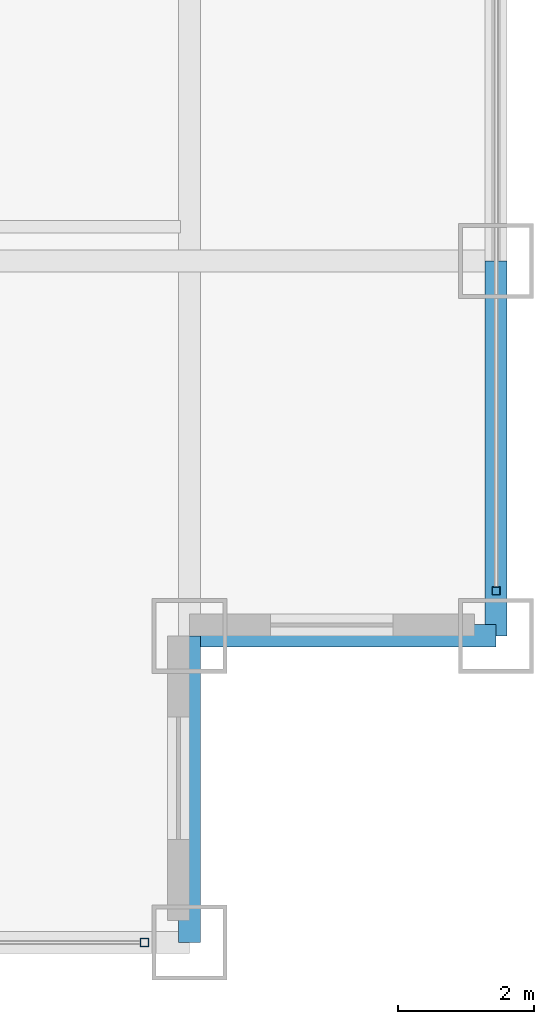
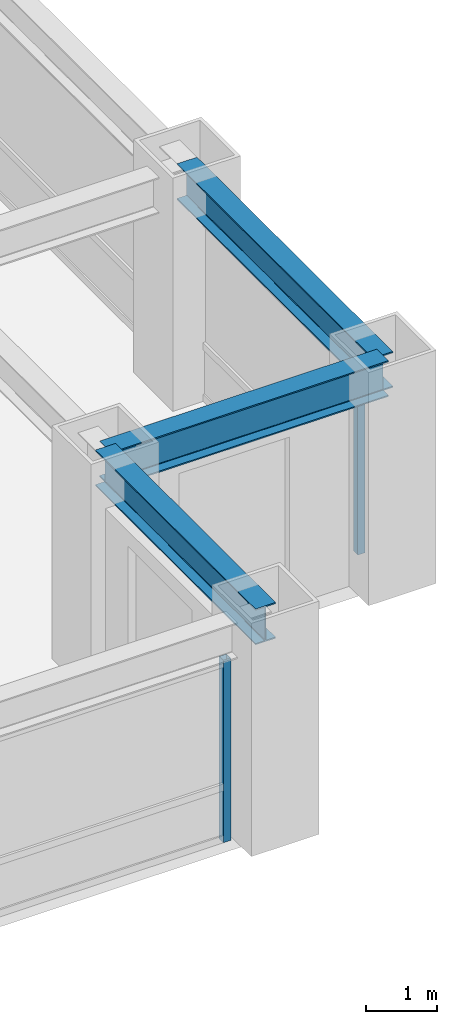
# One storey, part 8 of 24: 3 beams, 2 members, 2 elements without a shape of their own.
"""IFC4 building model written with IfcOpenShell, lengths in metres."""

from ifc_helpers import new_model, si_unit, direction, frame, origin, origin_2d, place, context, subcontext, project, spatial, hollow_rectangle, i_section, extrude, source, transform, mapped, material, material_profile, profile_set, type_object, element, aggregate, save


model = new_model("IFC4")

# Units and contexts
model_context = context("Model", 3, precision=1e-05, world=origin(), true_north=direction((0.0, 1.0)))
body_context = subcontext(model_context, "Body", "Model", "MODEL_VIEW")
ifc_project = project(units=[si_unit("LENGTHUNIT", "METRE"), si_unit("AREAUNIT", "SQUARE_METRE"), si_unit("VOLUMEUNIT", "CUBIC_METRE"), si_unit("PLANEANGLEUNIT", "RADIAN"), si_unit("MASSUNIT", "GRAM", prefix="KILO")], contexts=[model_context])

# Site, building, storey
site_placement = place(None, origin())
site = spatial("IfcSite", under=ifc_project, at=site_placement, CompositionType="ELEMENT")
building_placement = place(site_placement, origin())
building = spatial("IfcBuilding", under=site, at=building_placement, Name="Khorayat Bourse Tower", CompositionType="ELEMENT")
storey_placement = place(building_placement, frame((0.0, 0.0, 179.10009765625)))
storey = spatial("IfcBuildingStorey", under=building, at=storey_placement, Name="L41", CompositionType="ELEMENT", Elevation=179.10009765625)

# Beams
ifc_material_1 = material(Name="Steel ASTM A992 Grade 50", Category="steel")
ifc_material_profile_1 = material_profile(ifc_material_1, i_section(OverallWidth=0.324951171875, OverallDepth=0.615966796875, WebThickness=0.013916015625, FlangeThickness=0.021484375, FilletRadius=0.01611328125, at=origin_2d()), Name="W610X174")
ifc_profile_set_1 = profile_set([ifc_material_profile_1], Name="Steel ASTM A992 Grade 50")
beam_type = type_object("IfcBeamType", Name="BM-SPAN-610", PredefinedType="SPANDREL", material=ifc_profile_set_1)
shared_shape_1 = source(origin(), body_context, "Body", "SweptSolid", [
    extrude(i_section(OverallWidth=0.324951171875, OverallDepth=0.615966796875, WebThickness=0.013916015625, FlangeThickness=0.021484375, FilletRadius=0.01611328125, at=origin_2d()), origin(), (0.0, 0.0, 1.0), 5.5),
])
beam_placement = place(storey_placement, frame((30.0, -25.5, 3.471923828125), z_axis=(0.0, 1.0, 0.0), x_axis=(-1.0, 0.0, 0.0)))
element("IfcBeam", 1, at=beam_placement, inside=storey, type_object=beam_type, Name="L41 BM-SPAN-610 BM-L41-SPN-034", PredefinedType="SPANDREL", context=body_context, shape_type="MappedRepresentation", body=[
    mapped(shared_shape_1, transform((0.0, 0.0, 0.0), scale=1.0)),
])
shared_shape_2 = source(origin(), body_context, "Body", "SweptSolid", [
    extrude(i_section(OverallWidth=0.324951171875, OverallDepth=0.615966796875, WebThickness=0.013916015625, FlangeThickness=0.021484375, FilletRadius=0.01611328125, at=origin_2d()), origin(), (0.0, 0.0, 1.0), 4.5),
])
for number, where, z_axis, x_axis, name in (
    (2, (25.5, -30.0, 3.471923828125), (0.0, 1.0, 0.0), (-1.0, 0.0, 0.0), "L41 BM-SPAN-610 BM-L41-SPN-032"),
    (3, (25.5, -25.5, 3.471923828125), (1.0, 0.0, 0.0), (0.0, 1.0, 0.0), "L41 BM-SPAN-610 BM-L41-SPN-033"),
):
    element("IfcBeam", number, at=place(storey_placement, frame(where, z_axis=z_axis, x_axis=x_axis)), inside=storey, type_object=beam_type, Name=name, PredefinedType="SPANDREL", context=body_context, shape_type="MappedRepresentation", body=[
        mapped(shared_shape_2, transform((0.0, 0.0, 0.0), scale=1.0)),
    ])

# Curtain wall, member
ifc_material_2 = material(Name="Aluminium EN AW-6063 T6", Category="aluminium")
curtain_wall_type = type_object("IfcCurtainWallType", Name="CW-SYS-03", PredefinedType="NOTDEFINED", material=ifc_material_2)
curtain_wall_1_placement = place(storey_placement, origin())
curtain_wall_1 = element("IfcCurtainWall", 4, at=curtain_wall_1_placement, inside=storey, type_object=curtain_wall_type, Name="L41 Curtain Wall CW-L41-S1", PredefinedType="NOTDEFINED")
ifc_material_profile_2 = material_profile(ifc_material_2, hollow_rectangle(XDim=0.1201171875, YDim=0.1201171875, WallThickness=0.0048828125, at=origin_2d()), Name="ALU 120x120x5")
ifc_profile_set_2 = profile_set([ifc_material_profile_2], Name="Aluminium EN AW-6063 T6")
member_type = type_object("IfcMemberType", Name="CWM-VERT-120", PredefinedType="MULLION", material=ifc_profile_set_2)
shared_shape_3 = source(origin(), body_context, "Body", "SweptSolid", [
    extrude(hollow_rectangle(XDim=0.1201171875, YDim=0.1201171875, WallThickness=0.0048828125, at=origin_2d()), origin(), (0.0, 0.0, 1.0), 3.1298828125),
])
member_1_placement = place(storey_placement, frame((24.840087890625, -30.0, 0.0), z_axis=(0.0, 0.0, 1.0), x_axis=(0.0, 1.0, 0.0)))
member_1 = element("IfcMember", 5, at=member_1_placement, type_object=member_type, Name="CW-L41-S1 Vertical Mullion 3", PredefinedType="MULLION", context=body_context, shape_type="MappedRepresentation", body=[
    mapped(shared_shape_3, transform((0.0, 0.0, 0.0), scale=1.0)),
])
aggregate(curtain_wall_1, [member_1])

curtain_wall_2_placement = place(storey_placement, origin())
curtain_wall_2 = element("IfcCurtainWall", 6, at=curtain_wall_2_placement, inside=storey, type_object=curtain_wall_type, Name="L41 Curtain Wall CW-L41-E1", PredefinedType="NOTDEFINED")
member_2_placement = place(storey_placement, frame((30.0, -24.840087890625, 0.0), z_axis=(0.0, 0.0, 1.0), x_axis=(-1.0, 0.0, 0.0)))
member_2 = element("IfcMember", 7, at=member_2_placement, type_object=member_type, Name="CW-L41-E1 Vertical Mullion 1", PredefinedType="MULLION", context=body_context, shape_type="MappedRepresentation", body=[
    mapped(shared_shape_3, transform((0.0, 0.0, 0.0), scale=1.0)),
])
aggregate(curtain_wall_2, [member_2])

save(model, "model.ifc")
